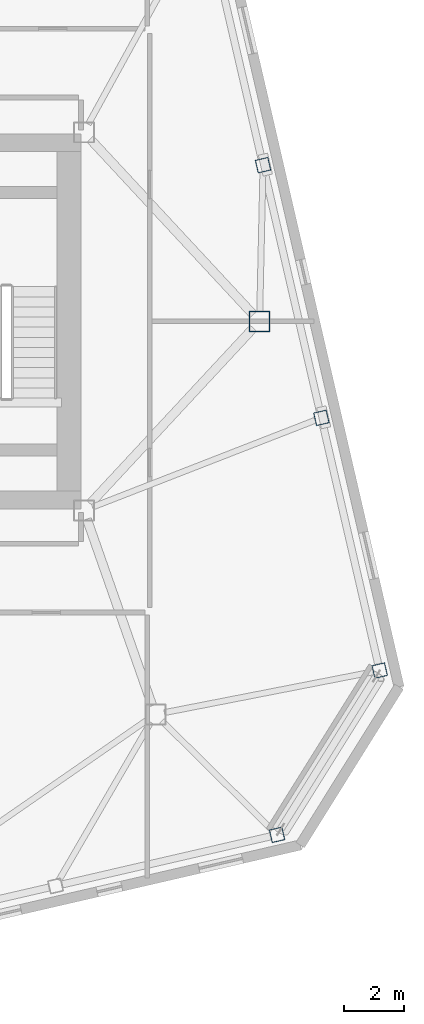
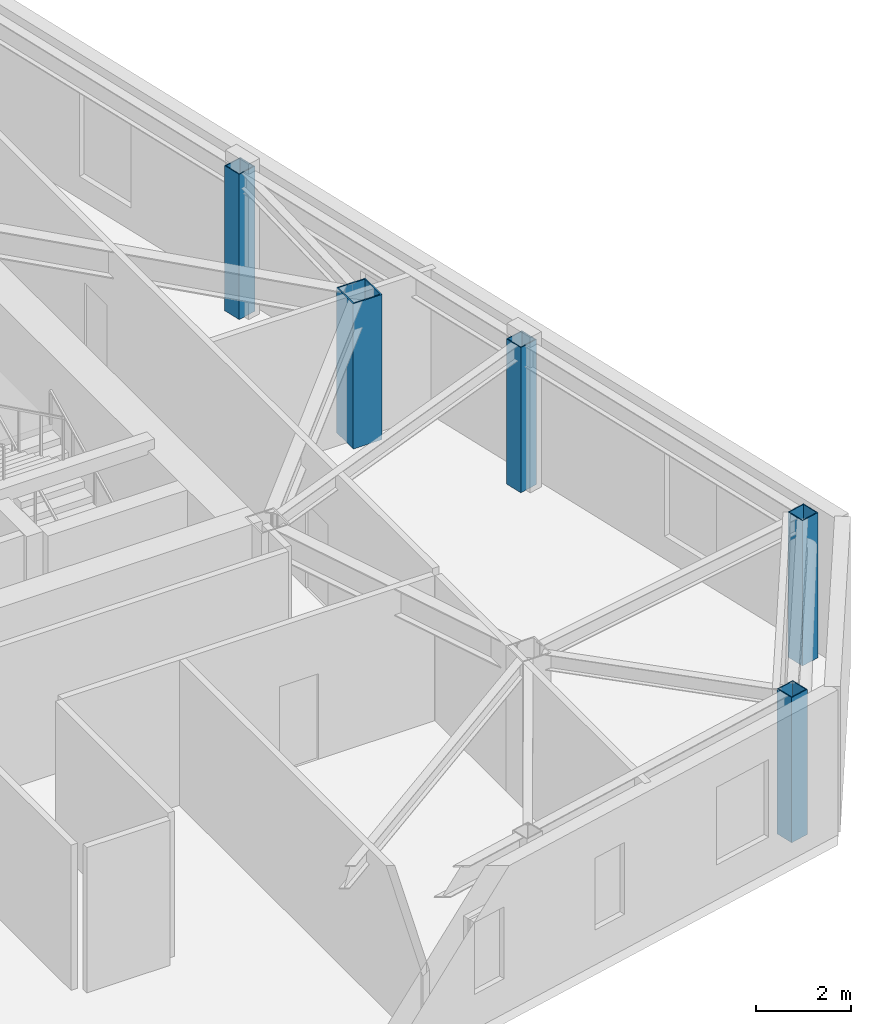
# One storey, part 3 of 24: 5 columns.
"""IFC4 building model written with IfcOpenShell, lengths in metres."""

from ifc_helpers import new_model, si_unit, direction, frame, origin, origin_2d, place, context, subcontext, project, spatial, hollow_rectangle, extrude, material, material_profile, profile_set, type_object, element, save


model = new_model("IFC4")

# Units and contexts
model_context = context("Model", 3, precision=1e-05, world=origin(), true_north=direction((0.0, 1.0)))
body_context = subcontext(model_context, "Body", "Model", "MODEL_VIEW")
ifc_project = project(units=[si_unit("LENGTHUNIT", "METRE"), si_unit("AREAUNIT", "SQUARE_METRE"), si_unit("VOLUMEUNIT", "CUBIC_METRE"), si_unit("PLANEANGLEUNIT", "RADIAN"), si_unit("MASSUNIT", "GRAM", prefix="KILO")], contexts=[model_context])

# Site, building, storey
site_placement = place(None, origin())
site = spatial("IfcSite", under=ifc_project, at=site_placement, CompositionType="ELEMENT")
building_placement = place(site_placement, origin())
building = spatial("IfcBuilding", under=site, at=building_placement, Name="Tavrogorsk Clinical Tower", CompositionType="ELEMENT")
storey_placement = place(building_placement, frame((0.0, 0.0, 325.0)))
storey = spatial("IfcBuildingStorey", under=building, at=storey_placement, Name="L76", CompositionType="ELEMENT", Elevation=325.0)

# Columns
ifc_material_1 = material(Name="Structural steel S440", Category="steel")
ifc_material_profile_1 = material_profile(ifc_material_1, hollow_rectangle(XDim=0.699951171875, YDim=0.699951171875, WallThickness=0.031982421875, at=origin_2d()), Name="BOX-700x700x32")
ifc_profile_set_1 = profile_set([ifc_material_profile_1], Name="Structural steel S440")
column_type_1 = type_object("IfcColumnType", Name="MegaCol_BOX700", PredefinedType="COLUMN", material=ifc_profile_set_1)
column_placement = place(storey_placement, frame((28.0, 0.0, 0.0), z_axis=(0.0, 0.0, 1.0), x_axis=(1.0, 0.0, 0.0)))
element("IfcColumn", 1, at=column_placement, inside=storey, type_object=column_type_1, Name="L76 Spine Pilotis Column MC-P6", PredefinedType="COLUMN", context=body_context, shape_type="SweptSolid", body=[
    extrude(hollow_rectangle(XDim=0.699951171875, YDim=0.699951171875, WallThickness=0.031982421875, at=origin_2d()), origin(), (0.0, 0.0, 1.0), 3.739990234375),
])
ifc_material_2 = material(Name="Structural steel S440", Category="steel")
ifc_material_profile_2 = material_profile(ifc_material_2, hollow_rectangle(XDim=0.449951171875, YDim=0.449951171875, WallThickness=0.02197265625, at=origin_2d()), Name="BOX-450x450x22")
ifc_profile_set_2 = profile_set([ifc_material_profile_2], Name="Structural steel S440")
column_type_2 = type_object("IfcColumnType", Name="PerimCol_B5_BOX450", PredefinedType="COLUMN", material=ifc_profile_set_2)
for number, where, z_axis, x_axis, name in (
    (2, (28.588623046875, -17.244873046875, 0.0), (0.0, 0.0, 1.0), (0.974370064785, 0.224951054344, 0.0), "L76 Perimeter Column S8"),
    (3, (32.035888671875, -11.72802734375, 0.0), (0.0, 0.0, 1.0), (0.974370064785, 0.224951054344, 0.0), "L76 Perimeter Column E1"),
    (4, (30.07666015625, -3.2412109375, 0.0), (0.0, 0.0, 1.0), (0.974370064785, 0.224951054344, 0.0), "L76 Perimeter Column E2"),
    (5, (28.1171875, 5.24560546875, 0.0), (0.0, 0.0, 1.0), (0.974370064785, 0.224951054344, 0.0), "L76 Perimeter Column E3"),
):
    element("IfcColumn", number, at=place(storey_placement, frame(where, z_axis=z_axis, x_axis=x_axis)), inside=storey, type_object=column_type_2, Name=name, PredefinedType="COLUMN", context=body_context, shape_type="SweptSolid", body=[
        extrude(hollow_rectangle(XDim=0.449951171875, YDim=0.449951171875, WallThickness=0.02197265625, at=origin_2d()), origin(), (0.0, 0.0, 1.0), 3.739990234375),
    ])

save(model, "model.ifc")
